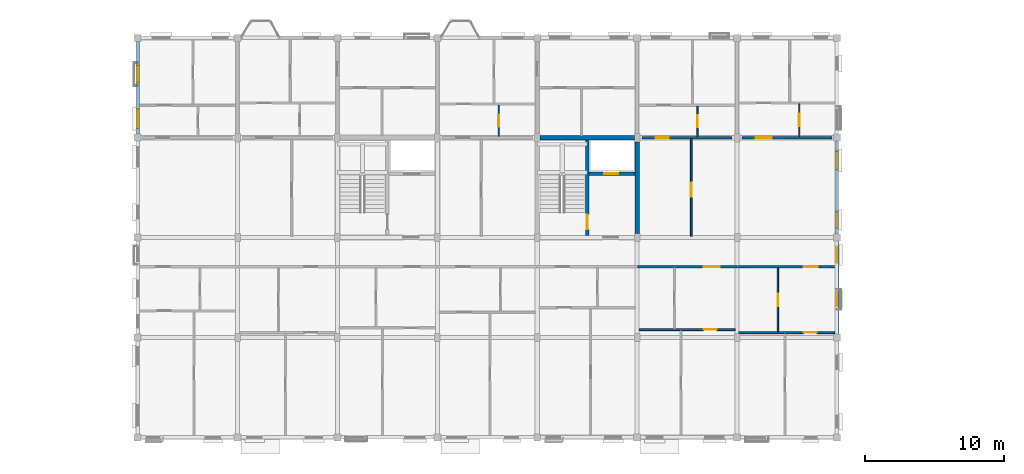
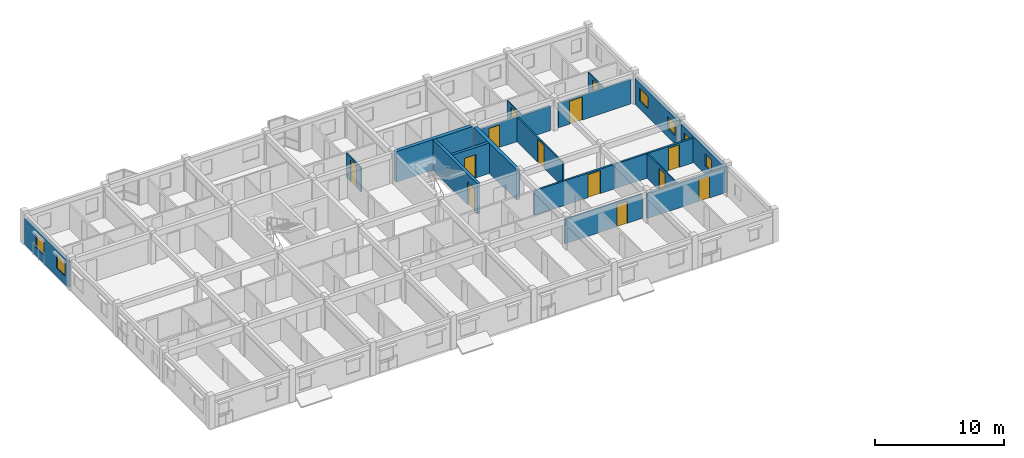
# One storey, part 29 of 38: 18 walls, 13 doors, 6 windows, 19 openings.
"""IFC4 building model written with IfcOpenShell, lengths in metres."""

from ifc_helpers import new_model, si_unit, direction, frame, frame_2d, origin, place, context, subcontext, project, spatial, rectangle, extrude, material, layer, layer_set, type_object, element, fill, save


model = new_model("IFC4")

# Units and contexts
model_context = context("Model", 3, precision=1e-05, world=origin(), true_north=direction((0.0, 1.0)))
body_context = subcontext(model_context, "Body", "Model", "MODEL_VIEW")
ifc_project = project(units=[si_unit("LENGTHUNIT", "METRE"), si_unit("AREAUNIT", "SQUARE_METRE"), si_unit("VOLUMEUNIT", "CUBIC_METRE"), si_unit("PLANEANGLEUNIT", "RADIAN"), si_unit("MASSUNIT", "GRAM", prefix="KILO"), si_unit("THERMODYNAMICTEMPERATUREUNIT", "KELVIN"), si_unit("POWERUNIT", "WATT")], contexts=[model_context])

# Site, building, storey
site_placement = place(None, origin())
site = spatial("IfcSite", under=ifc_project, at=site_placement, CompositionType="ELEMENT")
building_placement = place(site_placement, origin())
building = spatial("IfcBuilding", under=site, at=building_placement, Name="Tavuni Mirador Residences", CompositionType="ELEMENT")
storey_placement = place(building_placement, frame((0.0, 0.0, 32.85009765625)))
storey = spatial("IfcBuildingStorey", under=building, at=storey_placement, Name="L10", CompositionType="ELEMENT", Elevation=32.85009765625)

# Wall, opening, door
ifc_material_1 = material(Name="Precast concrete C40/50", Category="concrete")
ifc_layer_1 = layer(ifc_material_1, 0.25, Name="Precast concrete C40/50", Category="concrete")
ifc_layer_set_1 = layer_set([ifc_layer_1], Name="Precast concrete C40/50")
wall_type_1 = type_object("IfcWallType", Name="WT-COR250", PredefinedType="SHEAR", material=ifc_layer_set_1)
wall_1_placement = place(storey_placement, frame((43.199951171875, 158.56005859375, 0.0), z_axis=(0.0, 0.0, 1.0), x_axis=(0.0, 1.0, 0.0)))
wall_1 = element("IfcWall", 1, at=wall_1_placement, inside=storey, type_object=wall_type_1, Name="CWALL-C6-L10-MID", PredefinedType="SHEAR", context=body_context, shape_type="SweptSolid", body=[
    extrude(rectangle(XDim=6.8798828125, YDim=0.25, at=frame_2d((3.43994140625, 0.0))), origin(), (0.0, 0.0, 1.0), 2.885009765625),
])
opening_1_placement = place(wall_1_placement, frame((0.43994140625, 0.0, 0.0)))
opening_1 = element("IfcOpeningElement", 2, at=opening_1_placement, cuts=wall_1, Name="Opening D-01", PredefinedType="OPENING", context=body_context, shape_type="SweptSolid", body=[
    extrude(rectangle(XDim=1.050048828125, YDim=2.14990234375, at=frame_2d((0.52490234375, 1.074951171875))), frame((0.0, 0.135009765625, 0.0), z_axis=(0.0, -1.0, 0.0), x_axis=(1.0, 0.0, 0.0)), (0.0, 0.0, 1.0), 0.27001953125),
])
ifc_material_2 = material(Name="Solid core iroko timber", Category="wood")
door_type_1 = type_object("IfcDoorType", Name="DT-ST1050", OperationType="NOTDEFINED", PredefinedType="DOOR", material=ifc_material_2)
door_1_placement = place(opening_1_placement, origin())
door_1 = element("IfcDoor", 3, at=door_1_placement, inside=storey, type_object=door_type_1, Name="DR-2250", OperationType="SINGLE_SWING_RIGHT", OverallHeight=2.14990234375, OverallWidth=1.050048828125, PredefinedType="DOOR", context=body_context, shape_type="SweptSolid", body=[
    extrude(rectangle(XDim=1.050048828125, YDim=2.14990234375, at=frame_2d((0.52490234375, 1.074951171875))), frame((0.0, 0.02490234375, 0.0), z_axis=(0.0, -1.0, 0.0), x_axis=(1.0, 0.0, 0.0)), (0.0, 0.0, 1.0), 0.050048828125),
])
fill(opening_1, door_1)

wall_2_placement = place(storey_placement, frame((43.324951171875, 163.0, 0.0), z_axis=(0.0, 0.0, 1.0), x_axis=(1.0, 0.0, 0.0)))
wall_2 = element("IfcWall", 4, at=wall_2_placement, inside=storey, type_object=wall_type_1, Name="CWALL-C6-L10-SHF", PredefinedType="SHEAR", context=body_context, shape_type="SweptSolid", body=[
    extrude(rectangle(XDim=3.31494140625, YDim=0.25, at=frame_2d((1.657470703125, 0.0))), origin(), (0.0, 0.0, 1.0), 2.885009765625),
])
opening_2_placement = place(wall_2_placement, frame((1.10009765625, 0.0, 0.0)))
opening_2 = element("IfcOpeningElement", 5, at=opening_2_placement, cuts=wall_2, Name="Opening LD-02", PredefinedType="OPENING", context=body_context, shape_type="SweptSolid", body=[
    extrude(rectangle(XDim=1.0, YDim=2.199951171875, at=frame_2d((0.5, 1.10009765625))), frame((0.0, 0.135009765625, 0.0), z_axis=(0.0, -1.0, 0.0), x_axis=(1.0, 0.0, 0.0)), (0.0, 0.0, 1.0), 0.27001953125),
])
ifc_material_3 = material(Name="Structural steel S355", Category="steel")
door_type_2 = type_object("IfcDoorType", Name="DT-LD-PAX", OperationType="SLIDING_TO_LEFT", PredefinedType="DOOR", material=ifc_material_3)
door_2_placement = place(opening_2_placement, origin())
door_2 = element("IfcDoor", 6, at=door_2_placement, inside=storey, type_object=door_type_2, Name="Lift landing door PL-C1 L10", OperationType="SLIDING_TO_LEFT", OverallHeight=2.199951171875, OverallWidth=1.0, PredefinedType="DOOR", context=body_context, shape_type="SweptSolid", body=[
    extrude(rectangle(XDim=1.0, YDim=2.199951171875, at=frame_2d((0.5, 1.10009765625))), frame((0.0, 0.02490234375, 0.0), z_axis=(0.0, -1.0, 0.0), x_axis=(1.0, 0.0, 0.0)), (0.0, 0.0, 1.0), 0.050048828125),
])
fill(opening_2, door_2)

# Walls
ifc_layer_2 = layer(ifc_material_1, 0.320068359375, Name="Precast concrete C40/50", Category="concrete")
ifc_layer_set_2 = layer_set([ifc_layer_2], Name="Precast concrete C40/50")
wall_type_2 = type_object("IfcWallType", Name="WT-COR320", PredefinedType="SHEAR", material=ifc_layer_set_2)
wall_3_placement = place(storey_placement, frame((39.800048828125, 165.60009765625, 0.0), z_axis=(0.0, 0.0, 1.0), x_axis=(1.0, 0.0, 0.0)))
element("IfcWall", 7, at=wall_3_placement, inside=storey, type_object=wall_type_2, Name="CWALL-C6-L10-N", PredefinedType="SHEAR", context=body_context, shape_type="SweptSolid", body=[
    extrude(rectangle(XDim=6.800048828125, YDim=0.320068359375, at=frame_2d((3.39990234375, 0.0))), origin(), (0.0, 0.0, 1.0), 2.885009765625),
])
wall_4_placement = place(storey_placement, frame((46.800048828125, 158.699951171875, 0.0), z_axis=(0.0, 0.0, 1.0), x_axis=(0.0, 1.0, 0.0)))
element("IfcWall", 8, at=wall_4_placement, inside=storey, type_object=wall_type_2, Name="CWALL-C6-L10-E", PredefinedType="SHEAR", context=body_context, shape_type="SweptSolid", body=[
    extrude(rectangle(XDim=6.60009765625, YDim=0.320068359375, at=frame_2d((3.300048828125, 0.0))), origin(), (0.0, 0.0, 1.0), 2.885009765625),
])

# Wall, opening, door
ifc_layer_3 = layer(ifc_material_1, 0.1650390625, Name="Precast concrete C40/50", Category="concrete")
ifc_layer_set_3 = layer_set([ifc_layer_3], Name="Precast concrete C40/50")
wall_type_3 = type_object("IfcWallType", Name="WT-CORR165", PredefinedType="PARTITIONING", material=ifc_layer_set_3)
wall_5_placement = place(storey_placement, frame((46.820068359375, 156.300048828125, 0.0), z_axis=(0.0, 0.0, 1.0), x_axis=(1.0, 0.0, 0.0)))
wall_5 = element("IfcWall", 9, at=wall_5_placement, inside=storey, type_object=wall_type_3, Name="CORW-BLK-C-L10-0-05", PredefinedType="PARTITIONING", context=body_context, shape_type="SweptSolid", body=[
    extrude(rectangle(XDim=7.159912109375, YDim=0.1650390625, at=frame_2d((3.580078125, 0.0))), origin(), (0.0, 0.0, 1.0), 2.31982421875),
])
opening_3_placement = place(wall_5_placement, frame((4.780029296875, 0.0, 0.0)))
opening_3 = element("IfcOpeningElement", 10, at=opening_3_placement, cuts=wall_5, Name="Opening D-20", PredefinedType="OPENING", context=body_context, shape_type="SweptSolid", body=[
    extrude(rectangle(XDim=1.139892578125, YDim=2.179931640625, at=frame_2d((0.56982421875, 1.08984375))), frame((0.0, 0.092529296875, 0.0), z_axis=(0.0, -1.0, 0.0), x_axis=(1.0, 0.0, 0.0)), (0.0, 0.0, 1.0), 0.18505859375),
])
door_type_3 = type_object("IfcDoorType", Name="DT-FD60-1140", OperationType="NOTDEFINED", PredefinedType="DOOR", material=ifc_material_2)
door_3_placement = place(opening_3_placement, origin())
door_3 = element("IfcDoor", 11, at=door_3_placement, inside=storey, type_object=door_type_3, Name="DR-2768", OperationType="SINGLE_SWING_LEFT", OverallHeight=2.179931640625, OverallWidth=1.139892578125, PredefinedType="DOOR", context=body_context, shape_type="SweptSolid", body=[
    extrude(rectangle(XDim=1.139892578125, YDim=2.179931640625, at=frame_2d((0.56982421875, 1.08984375))), frame((0.0, 0.02490234375, 0.0), z_axis=(0.0, -1.0, 0.0), x_axis=(1.0, 0.0, 0.0)), (0.0, 0.0, 1.0), 0.050048828125),
])
fill(opening_3, door_3)

wall_6_placement = place(storey_placement, frame((54.02001953125, 156.300048828125, 0.0), z_axis=(0.0, 0.0, 1.0), x_axis=(1.0, 0.0, 0.0)))
wall_6 = element("IfcWall", 12, at=wall_6_placement, inside=storey, type_object=wall_type_3, Name="CORW-BLK-C-L10-0-06", PredefinedType="PARTITIONING", context=body_context, shape_type="SweptSolid", body=[
    extrude(rectangle(XDim=7.0048828125, YDim=0.1650390625, at=frame_2d((3.50244140625, 0.0))), origin(), (0.0, 0.0, 1.0), 2.31982421875),
])
opening_4_placement = place(wall_6_placement, frame((4.780029296875, 0.0, 0.0)))
opening_4 = element("IfcOpeningElement", 13, at=opening_4_placement, cuts=wall_6, Name="Opening D-03", PredefinedType="OPENING", context=body_context, shape_type="SweptSolid", body=[
    extrude(rectangle(XDim=1.0, YDim=2.14990234375, at=frame_2d((0.5, 1.074951171875))), frame((0.0, 0.092529296875, 0.0), z_axis=(0.0, -1.0, 0.0), x_axis=(1.0, 0.0, 0.0)), (0.0, 0.0, 1.0), 0.18505859375),
])
door_type_4 = type_object("IfcDoorType", Name="DT-FD60-1000", OperationType="NOTDEFINED", PredefinedType="DOOR", material=ifc_material_2)
door_4_placement = place(opening_4_placement, origin())
door_4 = element("IfcDoor", 14, at=door_4_placement, inside=storey, type_object=door_type_4, Name="DR-2769", OperationType="SINGLE_SWING_RIGHT", OverallHeight=2.14990234375, OverallWidth=1.0, PredefinedType="DOOR", context=body_context, shape_type="SweptSolid", body=[
    extrude(rectangle(XDim=1.0, YDim=2.14990234375, at=frame_2d((0.5, 1.074951171875))), frame((0.0, 0.02490234375, 0.0), z_axis=(0.0, -1.0, 0.0), x_axis=(1.0, 0.0, 0.0)), (0.0, 0.0, 1.0), 0.050048828125),
])
fill(opening_4, door_4)

wall_7_placement = place(storey_placement, frame((47.14990234375, 165.60009765625, 0.0), z_axis=(0.0, 0.0, 1.0), x_axis=(1.0, 0.0, 0.0)))
wall_7 = element("IfcWall", 15, at=wall_7_placement, inside=storey, type_object=wall_type_3, Name="CORW-BLK-C-L10-1-05", PredefinedType="PARTITIONING", context=body_context, shape_type="SweptSolid", body=[
    extrude(rectangle(XDim=6.5, YDim=0.1650390625, at=frame_2d((3.25, 0.0))), origin(), (0.0, 0.0, 1.0), 2.31982421875),
])
opening_5_placement = place(wall_7_placement, frame((1.0, 0.0, 0.0)))
opening_5 = element("IfcOpeningElement", 16, at=opening_5_placement, cuts=wall_7, Name="Opening D-19", PredefinedType="OPENING", context=body_context, shape_type="SweptSolid", body=[
    extrude(rectangle(XDim=0.93994140625, YDim=2.1201171875, at=frame_2d((0.469970703125, 1.06005859375))), frame((0.0, 0.092529296875, 0.0), z_axis=(0.0, -1.0, 0.0), x_axis=(1.0, 0.0, 0.0)), (0.0, 0.0, 1.0), 0.18505859375),
])
door_type_5 = type_object("IfcDoorType", Name="DT-FD60-940", OperationType="NOTDEFINED", PredefinedType="DOOR", material=ifc_material_2)
door_5_placement = place(opening_5_placement, origin())
door_5 = element("IfcDoor", 17, at=door_5_placement, inside=storey, type_object=door_type_5, Name="DR-2773", OperationType="SINGLE_SWING_RIGHT", OverallHeight=2.1201171875, OverallWidth=0.93994140625, PredefinedType="DOOR", context=body_context, shape_type="SweptSolid", body=[
    extrude(rectangle(XDim=0.93994140625, YDim=2.1201171875, at=frame_2d((0.469970703125, 1.06005859375))), frame((0.0, 0.02490234375, 0.0), z_axis=(0.0, -1.0, 0.0), x_axis=(1.0, 0.0, 0.0)), (0.0, 0.0, 1.0), 0.050048828125),
])
fill(opening_5, door_5)

wall_8_placement = place(storey_placement, frame((54.35009765625, 165.60009765625, 0.0), z_axis=(0.0, 0.0, 1.0), x_axis=(1.0, 0.0, 0.0)))
wall_8 = element("IfcWall", 18, at=wall_8_placement, inside=storey, type_object=wall_type_3, Name="CORW-BLK-C-L10-1-06", PredefinedType="PARTITIONING", context=body_context, shape_type="SweptSolid", body=[
    extrude(rectangle(XDim=6.5, YDim=0.1650390625, at=frame_2d((3.25, 0.0))), origin(), (0.0, 0.0, 1.0), 2.31982421875),
])
opening_6_placement = place(wall_8_placement, frame((1.0, 0.0, 0.0)))
opening_6 = element("IfcOpeningElement", 19, at=opening_6_placement, cuts=wall_8, Name="Opening D-20", PredefinedType="OPENING", context=body_context, shape_type="SweptSolid", body=[
    extrude(rectangle(XDim=1.139892578125, YDim=2.179931640625, at=frame_2d((0.56982421875, 1.08984375))), frame((0.0, 0.092529296875, 0.0), z_axis=(0.0, -1.0, 0.0), x_axis=(1.0, 0.0, 0.0)), (0.0, 0.0, 1.0), 0.18505859375),
])
door_6_placement = place(opening_6_placement, origin())
door_6 = element("IfcDoor", 20, at=door_6_placement, inside=storey, type_object=door_type_3, Name="DR-2774", OperationType="SINGLE_SWING_LEFT", OverallHeight=2.179931640625, OverallWidth=1.139892578125, PredefinedType="DOOR", context=body_context, shape_type="SweptSolid", body=[
    extrude(rectangle(XDim=1.139892578125, YDim=2.179931640625, at=frame_2d((0.56982421875, 1.08984375))), frame((0.0, 0.02490234375, 0.0), z_axis=(0.0, -1.0, 0.0), x_axis=(1.0, 0.0, 0.0)), (0.0, 0.0, 1.0), 0.050048828125),
])
fill(opening_6, door_6)

# Wall, openings, windows
ifc_material_4 = material(Name="Sgraffito lime-rendered precast concrete C40/50", Category="concrete")
ifc_layer_4 = layer(ifc_material_4, 0.2451171875, Name="Sgraffito lime-rendered precast concrete C40/50", Category="concrete")
ifc_layer_set_4 = layer_set([ifc_layer_4], Name="Sgraffito lime-rendered precast concrete C40/50")
wall_type_4 = type_object("IfcWallType", Name="WT-EXT-PC245", PredefinedType="SOLIDWALL", material=ifc_layer_set_4)
wall_9_placement = place(storey_placement, frame((10.800048828125, 172.550048828125, 0.0), z_axis=(0.0, 0.0, 1.0), x_axis=(0.0, -1.0, 0.0)))
wall_9 = element("IfcWall", 21, at=wall_9_placement, inside=storey, type_object=wall_type_4, Name="EW-BLK-C-L10-W03", PredefinedType="SOLIDWALL", context=body_context, shape_type="SweptSolid", body=[
    extrude(rectangle(XDim=6.699951171875, YDim=0.2451171875, at=frame_2d((3.35009765625, 0.0))), origin(), (0.0, 0.0, 1.0), 2.454833984375),
])
opening_7_placement = place(wall_9_placement, frame((1.764892578125, 0.0, 0.780029296875)))
opening_7 = element("IfcOpeningElement", 22, at=opening_7_placement, cuts=wall_9, Name="Opening WN-21", PredefinedType="OPENING", context=body_context, shape_type="SweptSolid", body=[
    extrude(rectangle(XDim=1.219970703125, YDim=1.360107421875, at=frame_2d((0.60986328125, 0.68017578125))), frame((0.0, 0.132568359375, 0.0), z_axis=(0.0, -1.0, 0.0), x_axis=(1.0, 0.0, 0.0)), (0.0, 0.0, 1.0), 0.26513671875),
])
opening_8_placement = place(wall_9_placement, frame((4.89501953125, 0.0, 0.780029296875)))
opening_8 = element("IfcOpeningElement", 23, at=opening_8_placement, cuts=wall_9, Name="Opening WN-23", PredefinedType="OPENING", context=body_context, shape_type="SweptSolid", body=[
    extrude(rectangle(XDim=1.3798828125, YDim=1.360107421875, at=frame_2d((0.68994140625, 0.68017578125))), frame((0.0, 0.132568359375, 0.0), z_axis=(0.0, -1.0, 0.0), x_axis=(1.0, 0.0, 0.0)), (0.0, 0.0, 1.0), 0.26513671875),
])
ifc_material_5 = material(Name="Laminated solar-control glass", Category="glass")
window_type_1 = type_object("IfcWindowType", Name="WNT-21", PartitioningType="SINGLE_PANEL", PredefinedType="WINDOW", material=ifc_material_5)
window_1_placement = place(opening_7_placement, origin())
window_1 = element("IfcWindow", 24, at=window_1_placement, inside=storey, type_object=window_type_1, Name="WIN-1300", OverallHeight=1.360107421875, OverallWidth=1.219970703125, PartitioningType="SINGLE_PANEL", PredefinedType="WINDOW", context=body_context, shape_type="SweptSolid", body=[
    extrude(rectangle(XDim=1.219970703125, YDim=1.360107421875, at=frame_2d((0.60986328125, 0.68017578125))), frame((0.0, 0.030029296875, 0.0), z_axis=(0.0, -1.0, 0.0), x_axis=(1.0, 0.0, 0.0)), (0.0, 0.0, 1.0), 0.06005859375),
])
fill(opening_7, window_1)
window_type_2 = type_object("IfcWindowType", Name="WNT-23", PartitioningType="SINGLE_PANEL", PredefinedType="WINDOW", material=ifc_material_5)
window_2_placement = place(opening_8_placement, origin())
window_2 = element("IfcWindow", 25, at=window_2_placement, inside=storey, type_object=window_type_2, Name="WIN-1301", OverallHeight=1.360107421875, OverallWidth=1.3798828125, PartitioningType="SINGLE_PANEL", PredefinedType="WINDOW", context=body_context, shape_type="SweptSolid", body=[
    extrude(rectangle(XDim=1.3798828125, YDim=1.360107421875, at=frame_2d((0.68994140625, 0.68017578125))), frame((0.0, 0.030029296875, 0.0), z_axis=(0.0, -1.0, 0.0), x_axis=(1.0, 0.0, 0.0)), (0.0, 0.0, 1.0), 0.06005859375),
])
fill(opening_8, window_2)

ifc_layer_5 = layer(ifc_material_4, 0.2548828125, Name="Sgraffito lime-rendered precast concrete C40/50", Category="concrete")
ifc_layer_set_5 = layer_set([ifc_layer_5], Name="Sgraffito lime-rendered precast concrete C40/50")
wall_type_5 = type_object("IfcWallType", Name="WT-EXT-PC255", PredefinedType="SOLIDWALL", material=ifc_layer_set_5)
wall_10_placement = place(storey_placement, frame((61.199951171875, 158.64990234375, 0.0), z_axis=(0.0, 0.0, 1.0), x_axis=(0.0, 1.0, 0.0)))
wall_10 = element("IfcWall", 26, at=wall_10_placement, inside=storey, type_object=wall_type_5, Name="EW-BLK-C-L10-E02", PredefinedType="SOLIDWALL", context=body_context, shape_type="SweptSolid", body=[
    extrude(rectangle(XDim=6.7001953125, YDim=0.2548828125, at=frame_2d((3.35009765625, 0.0))), origin(), (0.0, 0.0, 1.0), 2.454833984375),
])
opening_9_placement = place(wall_10_placement, frame((0.449951171875, 0.0, 0.780029296875)))
opening_9 = element("IfcOpeningElement", 27, at=opening_9_placement, cuts=wall_10, Name="Opening WN-05", PredefinedType="OPENING", context=body_context, shape_type="SweptSolid", body=[
    extrude(rectangle(XDim=1.159912109375, YDim=1.14990234375, at=frame_2d((0.580078125, 0.574951171875))), frame((0.0, 0.137451171875, 0.0), z_axis=(0.0, -1.0, 0.0), x_axis=(1.0, 0.0, 0.0)), (0.0, 0.0, 1.0), 0.27490234375),
])
opening_10_placement = place(wall_10_placement, frame((4.64990234375, 0.0, 0.780029296875)))
opening_10 = element("IfcOpeningElement", 28, at=opening_10_placement, cuts=wall_10, Name="Opening WN-07", PredefinedType="OPENING", context=body_context, shape_type="SweptSolid", body=[
    extrude(rectangle(XDim=1.320068359375, YDim=1.14990234375, at=frame_2d((0.66015625, 0.574951171875))), frame((0.0, 0.137451171875, 0.0), z_axis=(0.0, -1.0, 0.0), x_axis=(1.0, 0.0, 0.0)), (0.0, 0.0, 1.0), 0.27490234375),
])
window_type_3 = type_object("IfcWindowType", Name="WNT-05", PartitioningType="SINGLE_PANEL", PredefinedType="WINDOW", material=ifc_material_5)
window_3_placement = place(opening_9_placement, origin())
window_3 = element("IfcWindow", 29, at=window_3_placement, inside=storey, type_object=window_type_3, Name="WIN-1284", OverallHeight=1.14990234375, OverallWidth=1.159912109375, PartitioningType="SINGLE_PANEL", PredefinedType="WINDOW", context=body_context, shape_type="SweptSolid", body=[
    extrude(rectangle(XDim=1.159912109375, YDim=1.14990234375, at=frame_2d((0.580078125, 0.574951171875))), frame((0.0, 0.030029296875, 0.0), z_axis=(0.0, -1.0, 0.0), x_axis=(1.0, 0.0, 0.0)), (0.0, 0.0, 1.0), 0.06005859375),
])
fill(opening_9, window_3)
window_type_4 = type_object("IfcWindowType", Name="WNT-07", PartitioningType="SINGLE_PANEL", PredefinedType="WINDOW", material=ifc_material_5)
window_4_placement = place(opening_10_placement, origin())
window_4 = element("IfcWindow", 30, at=window_4_placement, inside=storey, type_object=window_type_4, Name="WIN-1285", OverallHeight=1.14990234375, OverallWidth=1.320068359375, PartitioningType="SINGLE_PANEL", PredefinedType="WINDOW", context=body_context, shape_type="SweptSolid", body=[
    extrude(rectangle(XDim=1.320068359375, YDim=1.14990234375, at=frame_2d((0.66015625, 0.574951171875))), frame((0.0, 0.030029296875, 0.0), z_axis=(0.0, -1.0, 0.0), x_axis=(1.0, 0.0, 0.0)), (0.0, 0.0, 1.0), 0.06005859375),
])
fill(opening_10, window_4)

ifc_layer_6 = layer(ifc_material_4, 0.27490234375, Name="Sgraffito lime-rendered precast concrete C40/50", Category="concrete")
ifc_layer_set_6 = layer_set([ifc_layer_6], Name="Sgraffito lime-rendered precast concrete C40/50")
wall_type_6 = type_object("IfcWallType", Name="WT-EXT-PC275", PredefinedType="SOLIDWALL", material=ifc_layer_set_6)
wall_11_placement = place(storey_placement, frame((61.199951171875, 151.449951171875, 0.0), z_axis=(0.0, 0.0, 1.0), x_axis=(0.0, 1.0, 0.0)))
wall_11 = element("IfcWall", 31, at=wall_11_placement, inside=storey, type_object=wall_type_6, Name="EW-BLK-C-L10-E01", PredefinedType="SOLIDWALL", context=body_context, shape_type="SweptSolid", body=[
    extrude(rectangle(XDim=6.699951171875, YDim=0.27490234375, at=frame_2d((3.35009765625, 0.0))), origin(), (0.0, 0.0, 1.0), 2.454833984375),
])
opening_11_placement = place(wall_11_placement, frame((1.9951171875, 0.0, 0.780029296875)))
opening_11 = element("IfcOpeningElement", 32, at=opening_11_placement, cuts=wall_11, Name="Opening WN-03", PredefinedType="OPENING", context=body_context, shape_type="SweptSolid", body=[
    extrude(rectangle(XDim=1.0, YDim=1.14990234375, at=frame_2d((0.5, 0.574951171875))), frame((0.0, 0.1474609375, 0.0), z_axis=(0.0, -1.0, 0.0), x_axis=(1.0, 0.0, 0.0)), (0.0, 0.0, 1.0), 0.294921875),
])
opening_12_placement = place(wall_11_placement, frame((5.125, 0.0, 0.780029296875)))
opening_12 = element("IfcOpeningElement", 33, at=opening_12_placement, cuts=wall_11, Name="Opening WN-05", PredefinedType="OPENING", context=body_context, shape_type="SweptSolid", body=[
    extrude(rectangle(XDim=1.159912109375, YDim=1.14990234375, at=frame_2d((0.580078125, 0.574951171875))), frame((0.0, 0.1474609375, 0.0), z_axis=(0.0, -1.0, 0.0), x_axis=(1.0, 0.0, 0.0)), (0.0, 0.0, 1.0), 0.294921875),
])
window_type_5 = type_object("IfcWindowType", Name="WNT-03", PartitioningType="SINGLE_PANEL", PredefinedType="WINDOW", material=ifc_material_5)
window_5_placement = place(opening_11_placement, origin())
window_5 = element("IfcWindow", 34, at=window_5_placement, inside=storey, type_object=window_type_5, Name="WIN-1282", OverallHeight=1.14990234375, OverallWidth=1.0, PartitioningType="SINGLE_PANEL", PredefinedType="WINDOW", context=body_context, shape_type="SweptSolid", body=[
    extrude(rectangle(XDim=1.0, YDim=1.14990234375, at=frame_2d((0.5, 0.574951171875))), frame((0.0, 0.030029296875, 0.0), z_axis=(0.0, -1.0, 0.0), x_axis=(1.0, 0.0, 0.0)), (0.0, 0.0, 1.0), 0.06005859375),
])
fill(opening_11, window_5)
window_6_placement = place(opening_12_placement, origin())
window_6 = element("IfcWindow", 35, at=window_6_placement, inside=storey, type_object=window_type_3, Name="WIN-1283", OverallHeight=1.14990234375, OverallWidth=1.159912109375, PartitioningType="SINGLE_PANEL", PredefinedType="WINDOW", context=body_context, shape_type="SweptSolid", body=[
    extrude(rectangle(XDim=1.159912109375, YDim=1.14990234375, at=frame_2d((0.580078125, 0.574951171875))), frame((0.0, 0.030029296875, 0.0), z_axis=(0.0, -1.0, 0.0), x_axis=(1.0, 0.0, 0.0)), (0.0, 0.0, 1.0), 0.06005859375),
])
fill(opening_12, window_6)

# Wall, opening, door
ifc_material_6 = material(Name="Acoustic gypsum and concrete block partition", Category="concrete")
ifc_layer_7 = layer(ifc_material_6, 0.094970703125, Name="Acoustic gypsum and concrete block partition", Category="concrete")
ifc_layer_set_7 = layer_set([ifc_layer_7], Name="Acoustic gypsum and concrete block partition")
wall_type_7 = type_object("IfcWallType", Name="WT-PART095", PredefinedType="PARTITIONING", material=ifc_layer_set_7)
wall_12_placement = place(storey_placement, frame((36.820068359375, 165.68994140625, 0.0), z_axis=(0.0, 0.0, 1.0), x_axis=(0.0, 1.0, 0.0)))
wall_12 = element("IfcWall", 36, at=wall_12_placement, inside=storey, type_object=wall_type_7, Name="PW-BLK-C-L10-N03-IN1", PredefinedType="PARTITIONING", context=body_context, shape_type="SweptSolid", body=[
    extrude(rectangle(XDim=2.260009765625, YDim=0.094970703125, at=frame_2d((1.1298828125, 0.0))), origin(), (0.0, 0.0, 1.0), 2.31982421875),
])
opening_13_placement = place(wall_12_placement, frame((0.695068359375, 0.0, 0.0)))
opening_13 = element("IfcOpeningElement", 37, at=opening_13_placement, cuts=wall_12, Name="Opening D-10", PredefinedType="OPENING", context=body_context, shape_type="SweptSolid", body=[
    extrude(rectangle(XDim=0.8701171875, YDim=2.050048828125, at=frame_2d((0.43505859375, 1.02490234375))), frame((0.0, 0.0576171875, 0.0), z_axis=(0.0, -1.0, 0.0), x_axis=(1.0, 0.0, 0.0)), (0.0, 0.0, 1.0), 0.114990234375),
])
door_type_6 = type_object("IfcDoorType", Name="DT-WC870", OperationType="NOTDEFINED", PredefinedType="DOOR", material=ifc_material_2)
door_7_placement = place(opening_13_placement, origin())
door_7 = element("IfcDoor", 38, at=door_7_placement, inside=storey, type_object=door_type_6, Name="DR-4178", OperationType="SINGLE_SWING_RIGHT", OverallHeight=2.050048828125, OverallWidth=0.8701171875, PredefinedType="DOOR", context=body_context, shape_type="SweptSolid", body=[
    extrude(rectangle(XDim=0.8701171875, YDim=2.050048828125, at=frame_2d((0.43505859375, 1.02490234375))), frame((0.0, 0.02490234375, 0.0), z_axis=(0.0, -1.0, 0.0), x_axis=(1.0, 0.0, 0.0)), (0.0, 0.0, 1.0), 0.050048828125),
])
fill(opening_13, door_7)

wall_13_placement = place(storey_placement, frame((51.139892578125, 165.68994140625, 0.0), z_axis=(0.0, 0.0, 1.0), x_axis=(0.0, 1.0, 0.0)))
wall_13 = element("IfcWall", 39, at=wall_13_placement, inside=storey, type_object=wall_type_7, Name="PW-BLK-C-L10-N05-IN1", PredefinedType="PARTITIONING", context=body_context, shape_type="SweptSolid", body=[
    extrude(rectangle(XDim=2.18017578125, YDim=0.094970703125, at=frame_2d((1.090087890625, 0.0))), origin(), (0.0, 0.0, 1.0), 2.31982421875),
])
opening_14_placement = place(wall_13_placement, frame((0.655029296875, 0.0, 0.0)))
opening_14 = element("IfcOpeningElement", 40, at=opening_14_placement, cuts=wall_13, Name="Opening D-10", PredefinedType="OPENING", context=body_context, shape_type="SweptSolid", body=[
    extrude(rectangle(XDim=0.8701171875, YDim=2.050048828125, at=frame_2d((0.43505859375, 1.02490234375))), frame((0.0, 0.0576171875, 0.0), z_axis=(0.0, -1.0, 0.0), x_axis=(1.0, 0.0, 0.0)), (0.0, 0.0, 1.0), 0.114990234375),
])
door_8_placement = place(opening_14_placement, origin())
door_8 = element("IfcDoor", 41, at=door_8_placement, inside=storey, type_object=door_type_6, Name="DR-4190", OperationType="SINGLE_SWING_RIGHT", OverallHeight=2.050048828125, OverallWidth=0.8701171875, PredefinedType="DOOR", context=body_context, shape_type="SweptSolid", body=[
    extrude(rectangle(XDim=0.8701171875, YDim=2.050048828125, at=frame_2d((0.43505859375, 1.02490234375))), frame((0.0, 0.02490234375, 0.0), z_axis=(0.0, -1.0, 0.0), x_axis=(1.0, 0.0, 0.0)), (0.0, 0.0, 1.0), 0.050048828125),
])
fill(opening_14, door_8)

wall_14_placement = place(storey_placement, frame((58.47998046875, 165.68994140625, 0.0), z_axis=(0.0, 0.0, 1.0), x_axis=(0.0, 1.0, 0.0)))
wall_14 = element("IfcWall", 42, at=wall_14_placement, inside=storey, type_object=wall_type_7, Name="PW-BLK-C-L10-N06-IN1", PredefinedType="PARTITIONING", context=body_context, shape_type="SweptSolid", body=[
    extrude(rectangle(XDim=2.340087890625, YDim=0.094970703125, at=frame_2d((1.169921875, 0.0))), origin(), (0.0, 0.0, 1.0), 2.31982421875),
])
opening_15_placement = place(wall_14_placement, frame((0.719970703125, 0.0, 0.0)))
opening_15 = element("IfcOpeningElement", 43, at=opening_15_placement, cuts=wall_14, Name="Opening D-09", PredefinedType="OPENING", context=body_context, shape_type="SweptSolid", body=[
    extrude(rectangle(XDim=0.89990234375, YDim=2.050048828125, at=frame_2d((0.449951171875, 1.02490234375))), frame((0.0, 0.0576171875, 0.0), z_axis=(0.0, -1.0, 0.0), x_axis=(1.0, 0.0, 0.0)), (0.0, 0.0, 1.0), 0.114990234375),
])
door_type_7 = type_object("IfcDoorType", Name="DT-WC900", OperationType="NOTDEFINED", PredefinedType="DOOR", material=ifc_material_2)
door_9_placement = place(opening_15_placement, origin())
door_9 = element("IfcDoor", 44, at=door_9_placement, inside=storey, type_object=door_type_7, Name="DR-4196", OperationType="SINGLE_SWING_LEFT", OverallHeight=2.050048828125, OverallWidth=0.89990234375, PredefinedType="DOOR", context=body_context, shape_type="SweptSolid", body=[
    extrude(rectangle(XDim=0.89990234375, YDim=2.050048828125, at=frame_2d((0.449951171875, 1.02490234375))), frame((0.0, 0.02490234375, 0.0), z_axis=(0.0, -1.0, 0.0), x_axis=(1.0, 0.0, 0.0)), (0.0, 0.0, 1.0), 0.050048828125),
])
fill(opening_15, door_9)

ifc_layer_8 = layer(ifc_material_6, 0.10498046875, Name="Acoustic gypsum and concrete block partition", Category="concrete")
ifc_layer_set_8 = layer_set([ifc_layer_8], Name="Acoustic gypsum and concrete block partition")
wall_type_8 = type_object("IfcWallType", Name="WT-PART105", PredefinedType="PARTITIONING", material=ifc_layer_set_8)
wall_15_placement = place(storey_placement, frame((56.949951171875, 151.6201171875, 0.0), z_axis=(0.0, 0.0, 1.0), x_axis=(0.0, 1.0, 0.0)))
wall_15 = element("IfcWall", 45, at=wall_15_placement, inside=storey, type_object=wall_type_8, Name="PW-BLK-C-L10-S06-IN1", PredefinedType="PARTITIONING", context=body_context, shape_type="SweptSolid", body=[
    extrude(rectangle(XDim=4.58984375, YDim=0.10498046875, at=frame_2d((2.294921875, 0.0))), origin(), (0.0, 0.0, 1.0), 2.31982421875),
])
opening_16_placement = place(wall_15_placement, frame((1.844970703125, 0.0, 0.0)))
opening_16 = element("IfcOpeningElement", 46, at=opening_16_placement, cuts=wall_15, Name="Opening D-09", PredefinedType="OPENING", context=body_context, shape_type="SweptSolid", body=[
    extrude(rectangle(XDim=0.89990234375, YDim=2.050048828125, at=frame_2d((0.449951171875, 1.02490234375))), frame((0.0, 0.0625, 0.0), z_axis=(0.0, -1.0, 0.0), x_axis=(1.0, 0.0, 0.0)), (0.0, 0.0, 1.0), 0.125),
])
door_10_placement = place(opening_16_placement, origin())
door_10 = element("IfcDoor", 47, at=door_10_placement, inside=storey, type_object=door_type_7, Name="DR-4193", OperationType="SINGLE_SWING_LEFT", OverallHeight=2.050048828125, OverallWidth=0.89990234375, PredefinedType="DOOR", context=body_context, shape_type="SweptSolid", body=[
    extrude(rectangle(XDim=0.89990234375, YDim=2.050048828125, at=frame_2d((0.449951171875, 1.02490234375))), frame((0.0, 0.02490234375, 0.0), z_axis=(0.0, -1.0, 0.0), x_axis=(1.0, 0.0, 0.0)), (0.0, 0.0, 1.0), 0.050048828125),
])
fill(opening_16, door_10)

ifc_layer_9 = layer(ifc_material_6, 0.125, Name="Acoustic gypsum and concrete block partition", Category="concrete")
ifc_layer_set_9 = layer_set([ifc_layer_9], Name="Acoustic gypsum and concrete block partition")
wall_type_9 = type_object("IfcWallType", Name="WT-PART125", PredefinedType="PARTITIONING", material=ifc_layer_set_9)
wall_16_placement = place(storey_placement, frame((50.699951171875, 158.489990234375, 0.0), z_axis=(0.0, 0.0, 1.0), x_axis=(0.0, 1.0, 0.0)))
wall_16 = element("IfcWall", 48, at=wall_16_placement, inside=storey, type_object=wall_type_9, Name="PW-SPN-BLK-C-L10-05", PredefinedType="PARTITIONING", context=body_context, shape_type="SweptSolid", body=[
    extrude(rectangle(XDim=7.02001953125, YDim=0.125, at=frame_2d((3.510009765625, 0.0))), origin(), (0.0, 0.0, 1.0), 2.31982421875),
])
opening_17_placement = place(wall_16_placement, frame((2.85009765625, 0.0, 0.0)))
opening_17 = element("IfcOpeningElement", 49, at=opening_17_placement, cuts=wall_16, Name="Opening D-13", PredefinedType="OPENING", context=body_context, shape_type="SweptSolid", body=[
    extrude(rectangle(XDim=1.02001953125, YDim=2.14990234375, at=frame_2d((0.510009765625, 1.074951171875))), frame((0.0, 0.072509765625, 0.0), z_axis=(0.0, -1.0, 0.0), x_axis=(1.0, 0.0, 0.0)), (0.0, 0.0, 1.0), 0.14501953125),
])
door_type_8 = type_object("IfcDoorType", Name="DT-MTG1020", OperationType="NOTDEFINED", PredefinedType="DOOR", material=ifc_material_2)
door_11_placement = place(opening_17_placement, origin())
door_11 = element("IfcDoor", 50, at=door_11_placement, inside=storey, type_object=door_type_8, Name="DR-4185", OperationType="SINGLE_SWING_RIGHT", OverallHeight=2.14990234375, OverallWidth=1.02001953125, PredefinedType="DOOR", context=body_context, shape_type="SweptSolid", body=[
    extrude(rectangle(XDim=1.02001953125, YDim=2.14990234375, at=frame_2d((0.510009765625, 1.074951171875))), frame((0.0, 0.02490234375, 0.0), z_axis=(0.0, -1.0, 0.0), x_axis=(1.0, 0.0, 0.0)), (0.0, 0.0, 1.0), 0.050048828125),
])
fill(opening_17, door_11)

ifc_layer_10 = layer(ifc_material_6, 0.139892578125, Name="Acoustic gypsum and concrete block partition", Category="concrete")
ifc_layer_set_10 = layer_set([ifc_layer_10], Name="Acoustic gypsum and concrete block partition")
wall_type_10 = type_object("IfcWallType", Name="WT-PART140", PredefinedType="PARTITIONING", material=ifc_layer_set_10)
wall_17_placement = place(storey_placement, frame((46.93994140625, 151.77001953125, 0.0), z_axis=(0.0, 0.0, 1.0), x_axis=(1.0, 0.0, 0.0)))
wall_17 = element("IfcWall", 51, at=wall_17_placement, inside=storey, type_object=wall_type_10, Name="PW-BLK-C-L10-S05-MID", PredefinedType="PARTITIONING", context=body_context, shape_type="SweptSolid", body=[
    extrude(rectangle(XDim=6.920166015625, YDim=0.139892578125, at=frame_2d((3.4599609375, 0.0))), origin(), (0.0, 0.0, 1.0), 2.31982421875),
])
opening_18_placement = place(wall_17_placement, frame((4.659912109375, 0.0, 0.0)))
opening_18 = element("IfcOpeningElement", 52, at=opening_18_placement, cuts=wall_17, Name="Opening D-06", PredefinedType="OPENING", context=body_context, shape_type="SweptSolid", body=[
    extrude(rectangle(XDim=0.919921875, YDim=2.10009765625, at=frame_2d((0.4599609375, 1.050048828125))), frame((0.0, 0.080078125, 0.0), z_axis=(0.0, -1.0, 0.0), x_axis=(1.0, 0.0, 0.0)), (0.0, 0.0, 1.0), 0.159912109375),
])
door_type_9 = type_object("IfcDoorType", Name="DT-INT920", OperationType="NOTDEFINED", PredefinedType="DOOR", material=ifc_material_2)
door_12_placement = place(opening_18_placement, origin())
door_12 = element("IfcDoor", 53, at=door_12_placement, inside=storey, type_object=door_type_9, Name="DR-4188", OperationType="SINGLE_SWING_RIGHT", OverallHeight=2.10009765625, OverallWidth=0.919921875, PredefinedType="DOOR", context=body_context, shape_type="SweptSolid", body=[
    extrude(rectangle(XDim=0.919921875, YDim=2.10009765625, at=frame_2d((0.4599609375, 1.050048828125))), frame((0.0, 0.02490234375, 0.0), z_axis=(0.0, -1.0, 0.0), x_axis=(1.0, 0.0, 0.0)), (0.0, 0.0, 1.0), 0.050048828125),
])
fill(opening_18, door_12)

wall_18_placement = place(storey_placement, frame((54.139892578125, 151.550048828125, 0.0), z_axis=(0.0, 0.0, 1.0), x_axis=(1.0, 0.0, 0.0)))
wall_18 = element("IfcWall", 54, at=wall_18_placement, inside=storey, type_object=wall_type_10, Name="PW-BLK-C-L10-S06-MID", PredefinedType="PARTITIONING", context=body_context, shape_type="SweptSolid", body=[
    extrude(rectangle(XDim=6.885009765625, YDim=0.139892578125, at=frame_2d((3.4423828125, 0.0))), origin(), (0.0, 0.0, 1.0), 2.31982421875),
])
opening_19_placement = place(wall_18_placement, frame((4.659912109375, 0.0, 0.0)))
opening_19 = element("IfcOpeningElement", 55, at=opening_19_placement, cuts=wall_18, Name="Opening D-05", PredefinedType="OPENING", context=body_context, shape_type="SweptSolid", body=[
    extrude(rectangle(XDim=0.949951171875, YDim=2.10009765625, at=frame_2d((0.47509765625, 1.050048828125))), frame((0.0, 0.080078125, 0.0), z_axis=(0.0, -1.0, 0.0), x_axis=(1.0, 0.0, 0.0)), (0.0, 0.0, 1.0), 0.159912109375),
])
door_type_10 = type_object("IfcDoorType", Name="DT-INT950", OperationType="NOTDEFINED", PredefinedType="DOOR", material=ifc_material_2)
door_13_placement = place(opening_19_placement, origin())
door_13 = element("IfcDoor", 56, at=door_13_placement, inside=storey, type_object=door_type_10, Name="DR-4194", OperationType="SINGLE_SWING_LEFT", OverallHeight=2.10009765625, OverallWidth=0.949951171875, PredefinedType="DOOR", context=body_context, shape_type="SweptSolid", body=[
    extrude(rectangle(XDim=0.949951171875, YDim=2.10009765625, at=frame_2d((0.47509765625, 1.050048828125))), frame((0.0, 0.02490234375, 0.0), z_axis=(0.0, -1.0, 0.0), x_axis=(1.0, 0.0, 0.0)), (0.0, 0.0, 1.0), 0.050048828125),
])
fill(opening_19, door_13)

save(model, "model.ifc")
